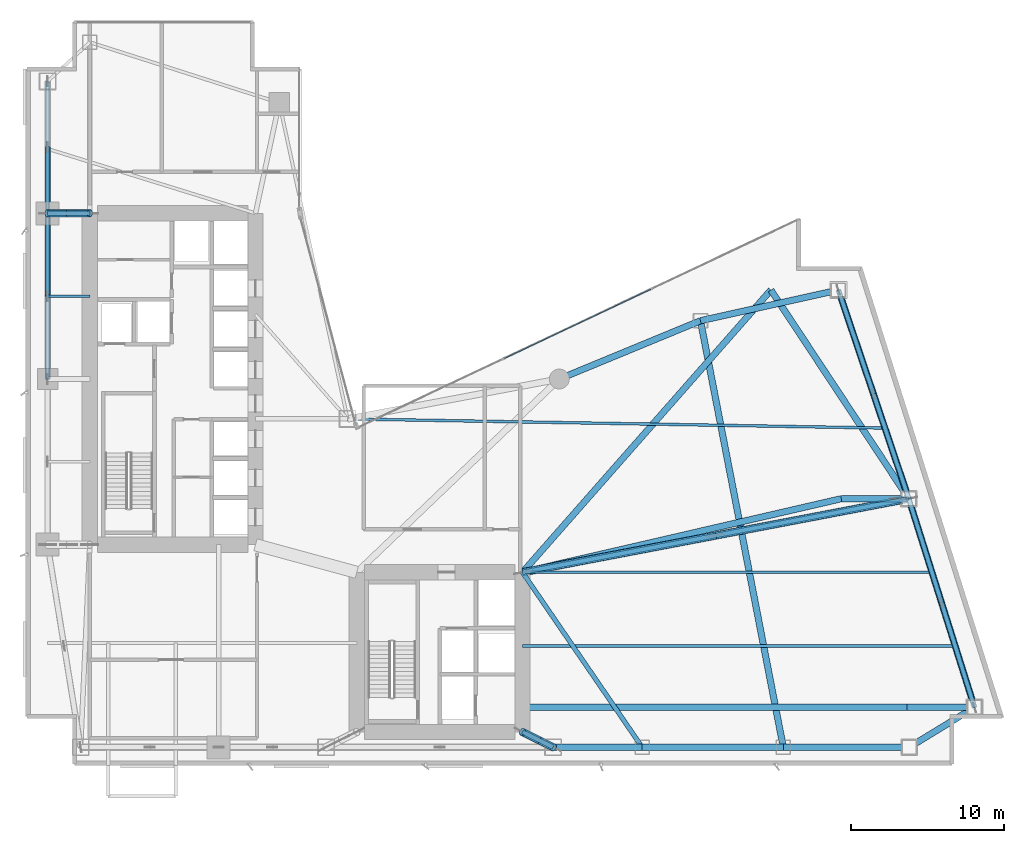
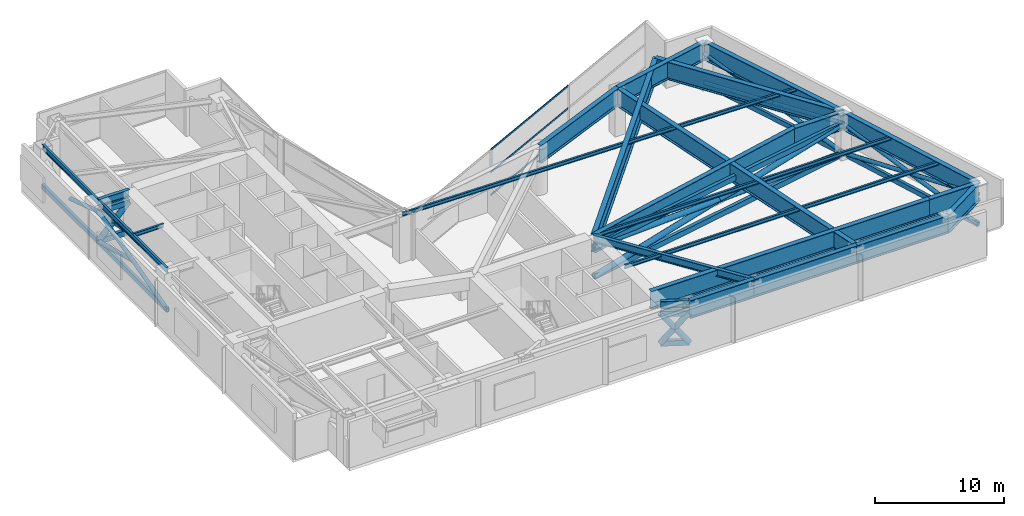
# One storey, part 5 of 18: 31 members, 24 beams, 1 element without a shape of its own.
"""IFC4 building model written with IfcOpenShell, lengths in metres."""

import ifcopenshell
import ifcopenshell.guid

model = None  # the IFC model being written
_history = None  # IfcOwnerHistory: only IFC2X3 demands one
_inside = {}  # id of a spatial element -> (the spatial element, [elements in it])
_under = {}  # id of a project, library or spatial element -> (it, [spatial elements below it])
_declared = {}  # id of a project -> (the project, [libraries it declares])
_typed = {}  # id of a type object -> (the type object, [elements of that type])
_made_of = {}  # id of a material, layer set ... -> (it, [elements and type objects made of it])


def new_model(schema):
    """Start an empty IFC model of exactly this schema.

    Asked for "IFC4X3", IfcOpenShell would pick the latest addendum, in which some entities
    have other attributes; the version numbers below select the first issue.
    IFC2X3 requires an IfcOwnerHistory on every rooted entity: one is made here for all.
    """
    global model, _history
    if schema == "IFC4X3":
        model = ifcopenshell.file(schema_version=(4, 3, 0, 0))
    else:
        model = ifcopenshell.file(schema=schema)
    _inside.clear()
    _under.clear()
    _declared.clear()
    _typed.clear()
    _made_of.clear()
    _history = None
    if model.schema == "IFC2X3":
        org = make("IfcOrganization", Name="unknown")
        user = make(
            "IfcPersonAndOrganization",
            ThePerson=make("IfcPerson", FamilyName="unknown"),
            TheOrganization=org,
        )
        app = make(
            "IfcApplication",
            ApplicationDeveloper=org,
            Version="unknown",
            ApplicationFullName="unknown",
            ApplicationIdentifier="unknown",
        )
        _history = make(
            "IfcOwnerHistory",
            OwningUser=user,
            OwningApplication=app,
            ChangeAction="ADDED",
            CreationDate=0,
        )
    return model


def make(cls, **values):
    """One entity of the class cls with the attributes given. An attribute that is None is left unset."""
    return model.create_entity(
        cls, **{name: value for name, value in values.items() if value is not None}
    )


def rooted(cls, **values):
    """An entity with a GlobalId (a new one), such as an element, a storey or a relation."""
    return make(cls, GlobalId=ifcopenshell.guid.new(), OwnerHistory=_history, **values)


def si_unit(unit_type, name, prefix=None):
    """IfcSIUnit, for example si_unit("LENGTHUNIT", "METRE", prefix="MILLI")."""
    return make("IfcSIUnit", UnitType=unit_type, Prefix=prefix, Name=name)


def assignment(units):
    """IfcUnitAssignment: the units of a project."""
    return None if units is None else make("IfcUnitAssignment", Units=units)


def point(xyz):
    """IfcCartesianPoint."""
    return None if xyz is None else make("IfcCartesianPoint", Coordinates=xyz)


def direction(xyz):
    """IfcDirection."""
    return None if xyz is None else make("IfcDirection", DirectionRatios=xyz)


def frame(location, z_axis=None, x_axis=None):
    """IfcAxis2Placement3D, a coordinate frame: its origin and axes. An axis left out is left unset."""
    return make(
        "IfcAxis2Placement3D",
        Location=point(location),
        Axis=direction(z_axis),
        RefDirection=direction(x_axis),
    )


def frame_2d(location, x_axis=None):
    """IfcAxis2Placement2D, a coordinate frame in the plane: its origin and x axis."""
    return make(
        "IfcAxis2Placement2D", Location=point(location), RefDirection=direction(x_axis)
    )


def origin():
    """The frame at (0, 0, 0) with its axes left unset."""
    return frame((0.0, 0.0, 0.0))


def origin_2d():
    """The frame at (0, 0) in the plane with its x axis left unset."""
    return frame_2d((0.0, 0.0))


def place(relative_to, where):
    """IfcLocalPlacement: puts the frame where relative to a parent placement (None: the world)."""
    return make(
        "IfcLocalPlacement", PlacementRelTo=relative_to, RelativePlacement=where
    )


def context(
    kind, dimensions, precision=None, world=None, true_north=None, identifier=None
):
    """IfcGeometricRepresentationContext, for example the 3D "Model" context."""
    return make(
        "IfcGeometricRepresentationContext",
        ContextIdentifier=identifier,
        ContextType=kind,
        CoordinateSpaceDimension=dimensions,
        Precision=precision,
        WorldCoordinateSystem=world,
        TrueNorth=true_north,
    )


def subcontext(parent, identifier, kind, view, scale=None):
    """IfcGeometricRepresentationSubContext, for example "Body" below "Model"."""
    return make(
        "IfcGeometricRepresentationSubContext",
        ContextIdentifier=identifier,
        ContextType=kind,
        ParentContext=parent,
        TargetScale=scale,
        TargetView=view,
    )


def project(units=None, contexts=None):
    """IfcProject with its units and contexts."""
    return rooted(
        "IfcProject",
        Name="project",
        RepresentationContexts=contexts,
        UnitsInContext=assignment(units),
    )


def spatial(cls, under=None, at=None, **own):
    """A site, building, storey or space (cls), placed at a placement, below another one or the project."""
    s = rooted(cls, ObjectPlacement=at, **own)
    if under is not None:
        _under.setdefault(under.id(), (under, []))[1].append(s)
    return s


def profile(cls, at=None, kind="AREA", **sizes):
    """A parametric profile (cls). Its sizes go by their IFC names, for example OverallWidth=200.0."""
    return make(cls, ProfileType=kind, Position=at, **sizes)


def hollow_rectangle(**sizes):
    """IfcRectangleHollowProfileDef."""
    return profile("IfcRectangleHollowProfileDef", **sizes)


def hollow_circle(**sizes):
    """IfcCircleHollowProfileDef."""
    return profile("IfcCircleHollowProfileDef", **sizes)


def i_section(**sizes):
    """IfcIShapeProfileDef."""
    return profile("IfcIShapeProfileDef", **sizes)


def extrude(swept, where, along, depth):
    """IfcExtrudedAreaSolid: the profile swept, set in the frame where, extruded along a direction by depth."""
    return make(
        "IfcExtrudedAreaSolid",
        SweptArea=swept,
        Position=where,
        ExtrudedDirection=direction(along),
        Depth=depth,
    )


def shape(context_of_items, identifier, shape_type, items):
    """IfcShapeRepresentation: the items that make up one representation, for example the "Body"."""
    return make(
        "IfcShapeRepresentation",
        ContextOfItems=context_of_items,
        RepresentationIdentifier=identifier,
        RepresentationType=shape_type,
        Items=items,
    )


def material(Name=None, Category=None):
    """IfcMaterial."""
    return make("IfcMaterial", Name=Name, Category=Category)


def layer(
    of_material, thickness, ventilated=None, Name=None, Category=None, Priority=None
):
    """IfcMaterialLayer: one layer of a wall or slab, of a material (None: an air gap)."""
    return make(
        "IfcMaterialLayer",
        Material=of_material,
        LayerThickness=thickness,
        IsVentilated=ventilated,
        Name=Name,
        Category=Category,
        Priority=Priority,
    )


def layer_set(layers, Name=None):
    """IfcMaterialLayerSet."""
    return make("IfcMaterialLayerSet", MaterialLayers=layers, LayerSetName=Name)


def material_profile(
    of_material, cross_section, Name=None, Category=None, Priority=None
):
    """IfcMaterialProfile: a cross section and its material."""
    return make(
        "IfcMaterialProfile",
        Name=Name,
        Material=of_material,
        Profile=cross_section,
        Priority=Priority,
        Category=Category,
    )


def profile_set(profiles, Name=None, composite=None):
    """IfcMaterialProfileSet."""
    return make(
        "IfcMaterialProfileSet",
        Name=Name,
        MaterialProfiles=profiles,
        CompositeProfile=composite,
    )


def made_of(thing, what):
    """Note that an element or type object is made of a material, layer set ...; save() writes the relation."""
    if what is not None:
        _made_of.setdefault(what.id(), (what, []))[1].append(thing)
    return thing


def type_object(cls, material=None, **own):
    """A type object (cls), such as IfcWallType, which elements share."""
    return made_of(rooted(cls, **own), material)


def element(
    cls,
    number,
    at=None,
    inside=None,
    cuts=None,
    type_object=None,
    material=None,
    context=None,
    identifier="Body",
    shape_type=None,
    held_by="IfcProductDefinitionShape",
    body=None,
    shapes=None,
    **own,
):
    """One element of the class cls, such as IfcWall. Its Tag is "e" and its number.

    at: its placement. inside: the storey or other place that contains it. cuts: it is an
    opening in that element (IfcRelVoidsElement). A single representation is given by context,
    identifier, shape_type and body (its items); several are given by shapes. held_by: the class
    of the entity that holds the representations. save() writes the other relations.
    """
    e = rooted(cls, Tag="e%d" % number, ObjectPlacement=at, **own)
    if body is not None:
        shapes = [shape(context, identifier, shape_type, body)]
    if shapes is not None:
        e.Representation = make(held_by, Representations=shapes)
    if inside is not None:
        _inside.setdefault(inside.id(), (inside, []))[1].append(e)
    if cuts is not None:
        rooted(
            "IfcRelVoidsElement", RelatingBuildingElement=cuts, RelatedOpeningElement=e
        )
    if type_object is not None:
        _typed.setdefault(type_object.id(), (type_object, []))[1].append(e)
    return made_of(e, material)


def aggregate(whole, parts):
    """IfcRelAggregates: a whole, such as a stair, and the parts it consists of."""
    return rooted("IfcRelAggregates", RelatingObject=whole, RelatedObjects=parts)


def save(model, path):
    """Write the relations noted so far, then the file.

    IfcRelAggregates (storeys below a building ...), IfcRelContainedInSpatialStructure (elements
    in a storey), IfcRelDefinesByType, IfcRelAssociatesMaterial and IfcRelDeclares: one each for
    every whole, place, type object, material and project.
    """
    for whole, parts in _under.values():
        aggregate(whole, parts)
    for where, things in _inside.values():
        rooted(
            "IfcRelContainedInSpatialStructure",
            RelatedElements=things,
            RelatingStructure=where,
        )
    for kind, things in _typed.values():
        rooted("IfcRelDefinesByType", RelatedObjects=things, RelatingType=kind)
    for what, things in _made_of.values():
        rooted("IfcRelAssociatesMaterial", RelatedObjects=things, RelatingMaterial=what)
    for by, libraries in _declared.values():
        rooted("IfcRelDeclares", RelatingContext=by, RelatedDefinitions=libraries)
    model.write(path)


model = new_model("IFC4")

# Units and contexts
model_context = context("Model", 3, precision=1e-05, world=origin(), true_north=direction((0.0, 1.0)))
body_context = subcontext(model_context, "Body", "Model", "MODEL_VIEW")
ifc_project = project(units=[si_unit("LENGTHUNIT", "METRE"), si_unit("AREAUNIT", "SQUARE_METRE"), si_unit("VOLUMEUNIT", "CUBIC_METRE"), si_unit("PLANEANGLEUNIT", "RADIAN"), si_unit("MASSUNIT", "GRAM", prefix="KILO")], contexts=[model_context])

# Site, building, storey
site_placement = place(None, origin())
site = spatial("IfcSite", under=ifc_project, at=site_placement, CompositionType="ELEMENT")
building_placement = place(site_placement, origin())
building = spatial("IfcBuilding", under=site, at=building_placement, Name="Calvorn Quay Hotel", CompositionType="ELEMENT")
storey_placement = place(building_placement, frame((0.0, 0.0, 92.60009765625)))
storey = spatial("IfcBuildingStorey", under=building, at=storey_placement, Name="L22", CompositionType="ELEMENT", Elevation=92.60009765625)

# Beams
ifc_material_1 = material(Name="Steel Q390GJC", Category="steel")
ifc_material_profile_1 = material_profile(ifc_material_1, i_section(OverallWidth=0.300048828125, OverallDepth=0.699951171875, WebThickness=0.012939453125, FlangeThickness=0.02392578125, FilletRadius=0.02392578125, at=origin_2d()), Name="HN700x300x13x24")
ifc_profile_set_1 = profile_set([ifc_material_profile_1], Name="Steel Q390GJC")
beam_type_1 = type_object("IfcBeamType", Name="BM-GIRD-MAIN", PredefinedType="BEAM", material=ifc_profile_set_1)
beam_1_placement = place(storey_placement, frame((1.449951171875, 38.39990234375, 4.0), z_axis=(1.0, 0.0, 0.0), x_axis=(0.0, 1.0, 0.0)))
element("IfcBeam", 1, at=beam_1_placement, inside=storey, type_object=beam_type_1, Name="Beam BG-L22-W3", PredefinedType="BEAM", context=body_context, shape_type="SweptSolid", body=[
    extrude(i_section(OverallWidth=0.300048828125, OverallDepth=0.699951171875, WebThickness=0.012939453125, FlangeThickness=0.02392578125, FilletRadius=0.02392578125, at=origin_2d()), origin(), (0.0, 0.0, 1.0), 2.75),
])
beam_2_placement = place(storey_placement, frame((34.39990234375, 3.60009765625, 4.0), z_axis=(-0.894427191, 0.4472135955, 0.0), x_axis=(-0.4472135955, -0.894427191, 0.0)))
element("IfcBeam", 2, at=beam_2_placement, inside=storey, type_object=beam_type_1, Name="Beam BG-L22-S3", PredefinedType="BEAM", context=body_context, shape_type="SweptSolid", body=[
    extrude(i_section(OverallWidth=0.300048828125, OverallDepth=0.699951171875, WebThickness=0.012939453125, FlangeThickness=0.02392578125, FilletRadius=0.02392578125, at=origin_2d()), origin(), (0.0, 0.0, 1.0), 2.236083984375),
])
beam_3_placement = place(storey_placement, frame((40.199951171875, 3.60009765625, 4.0), z_axis=(-0.564689618177, 0.825303359452, 0.0), x_axis=(-0.825303359452, -0.564689618177, 0.0)))
element("IfcBeam", 3, at=beam_3_placement, inside=storey, type_object=beam_type_1, Name="Beam BG-L22-E6", PredefinedType="BEAM", context=body_context, shape_type="SweptSolid", body=[
    extrude(i_section(OverallWidth=0.300048828125, OverallDepth=0.699951171875, WebThickness=0.012939453125, FlangeThickness=0.02392578125, FilletRadius=0.02392578125, at=origin_2d()), origin(), (0.0, 0.0, 1.0), 13.81298828125),
])
ifc_material_2 = material(Name="Steel Q355B", Category="steel")
ifc_material_profile_2 = material_profile(ifc_material_2, i_section(OverallWidth=0.175048828125, OverallDepth=0.35009765625, WebThickness=0.007080078125, FlangeThickness=0.010986328125, FilletRadius=0.013916015625, at=origin_2d()), Name="HN350x175x7x11")
ifc_profile_set_2 = profile_set([ifc_material_profile_2], Name="Steel Q355B")
beam_type_2 = type_object("IfcBeamType", Name="BM-JOIST-SEC", PredefinedType="JOIST", material=ifc_profile_set_2)
beam_4_placement = place(storey_placement, frame((1.449951171875, 33.0, 4.1748046875), z_axis=(1.0, 0.0, 0.0), x_axis=(0.0, 1.0, 0.0)))
element("IfcBeam", 4, at=beam_4_placement, inside=storey, type_object=beam_type_2, Name="Beam BJ-L22-W4", PredefinedType="JOIST", context=body_context, shape_type="SweptSolid", body=[
    extrude(i_section(OverallWidth=0.175048828125, OverallDepth=0.35009765625, WebThickness=0.007080078125, FlangeThickness=0.010986328125, FilletRadius=0.013916015625, at=origin_2d()), origin(), (0.0, 0.0, 1.0), 2.75),
])
beam_5_placement = place(storey_placement, frame((32.39990234375, 10.199951171875, 4.1748046875), z_axis=(1.0, 0.0, 0.0), x_axis=(0.0, 1.0, 0.0)))
element("IfcBeam", 5, at=beam_5_placement, inside=storey, type_object=beam_type_2, Name="Beam BJ-L22-E1", PredefinedType="JOIST", context=body_context, shape_type="SweptSolid", body=[
    extrude(i_section(OverallWidth=0.175048828125, OverallDepth=0.35009765625, WebThickness=0.007080078125, FlangeThickness=0.010986328125, FilletRadius=0.013916015625, at=origin_2d()), origin(), (0.0, 0.0, 1.0), 28.201171875),
])
beam_6_placement = place(storey_placement, frame((32.39990234375, 15.0, 4.1748046875), z_axis=(1.0, 0.0, 0.0), x_axis=(0.0, 1.0, 0.0)))
element("IfcBeam", 6, at=beam_6_placement, inside=storey, type_object=beam_type_2, Name="Beam BJ-L22-E2", PredefinedType="JOIST", context=body_context, shape_type="SweptSolid", body=[
    extrude(i_section(OverallWidth=0.175048828125, OverallDepth=0.35009765625, WebThickness=0.007080078125, FlangeThickness=0.010986328125, FilletRadius=0.013916015625, at=origin_2d()), origin(), (0.0, 0.0, 1.0), 26.68798828125),
])
beam_7_placement = place(storey_placement, frame((21.0, 25.0, 4.1748046875), z_axis=(0.999854105858, -0.017081188436, 0.0), x_axis=(0.017081188436, 0.999854105858, 0.0)))
element("IfcBeam", 7, at=beam_7_placement, inside=storey, type_object=beam_type_2, Name="Beam BJ-L22-E3", PredefinedType="JOIST", context=body_context, shape_type="SweptSolid", body=[
    extrude(i_section(OverallWidth=0.175048828125, OverallDepth=0.35009765625, WebThickness=0.007080078125, FlangeThickness=0.010986328125, FilletRadius=0.013916015625, at=origin_2d()), origin(), (0.0, 0.0, 1.0), 35.132080078125),
])
ifc_material_3 = material(Name="Steel Q355B", Category="steel")
ifc_material_profile_3 = material_profile(ifc_material_3, i_section(OverallWidth=0.199951171875, OverallDepth=0.5, WebThickness=0.010009765625, FlangeThickness=0.01611328125, FilletRadius=0.01611328125, at=origin_2d()), Name="HN500x200x10x16")
ifc_profile_set_3 = profile_set([ifc_material_profile_3], Name="Steel Q355B")
beam_type_3 = type_object("IfcBeamType", Name="BM-SPANDREL-Z1", PredefinedType="SPANDREL", material=ifc_profile_set_3)
beam_8_placement = place(storey_placement, frame((1.449951171875, 27.60009765625, 4.099853515625), z_axis=(0.0, 1.0, 0.0), x_axis=(-1.0, 0.0, 0.0)))
element("IfcBeam", 8, at=beam_8_placement, inside=storey, type_object=beam_type_3, Name="Beam BSP-L22-W3", PredefinedType="SPANDREL", context=body_context, shape_type="SweptSolid", body=[
    extrude(i_section(OverallWidth=0.199951171875, OverallDepth=0.5, WebThickness=0.010009765625, FlangeThickness=0.01611328125, FilletRadius=0.01611328125, at=origin_2d()), origin(), (0.0, 0.0, 1.0), 10.7998046875),
])
beam_9_placement = place(storey_placement, frame((1.449951171875, 38.39990234375, 4.099853515625), z_axis=(0.0, 1.0, 0.0), x_axis=(-1.0, 0.0, 0.0)))
element("IfcBeam", 9, at=beam_9_placement, inside=storey, type_object=beam_type_3, Name="Beam BSP-L22-W4", PredefinedType="SPANDREL", context=body_context, shape_type="SweptSolid", body=[
    extrude(i_section(OverallWidth=0.199951171875, OverallDepth=0.5, WebThickness=0.010009765625, FlangeThickness=0.01611328125, FilletRadius=0.01611328125, at=origin_2d()), origin(), (0.0, 0.0, 1.0), 8.60009765625),
])
ifc_material_4 = material(Name="Steel Q420GJC", Category="steel")
ifc_material_profile_4 = material_profile(ifc_material_4, i_section(OverallWidth=0.419921875, OverallDepth=1.699951171875, WebThickness=0.02392578125, FlangeThickness=0.0419921875, FilletRadius=0.02392578125, at=origin_2d()), Name="HN1700x420x24x42")
ifc_profile_set_4 = profile_set([ifc_material_profile_4], Name="Steel Q420GJC")
beam_type_4 = type_object("IfcBeamType", Name="BM-XFER-SAWTOOTH", PredefinedType="BEAM", material=ifc_profile_set_4)
beam_10_placement = place(storey_placement, frame((32.39990234375, 6.199951171875, 3.5), z_axis=(1.0, 0.0, 0.0), x_axis=(0.0, 1.0, 0.0)))
element("IfcBeam", 10, at=beam_10_placement, inside=storey, type_object=beam_type_4, Name="Beam BTG-L22-C-ET1A", PredefinedType="BEAM", context=body_context, shape_type="SweptSolid", body=[
    extrude(i_section(OverallWidth=0.419921875, OverallDepth=1.699951171875, WebThickness=0.02392578125, FlangeThickness=0.0419921875, FilletRadius=0.02392578125, at=origin_2d()), origin(), (0.0, 0.0, 1.0), 25.06103515625),
])
beam_11_placement = place(storey_placement, frame((57.4609375, 6.199951171875, 3.5), z_axis=(1.0, 0.0, 0.0), x_axis=(0.0, 1.0, 0.0)))
element("IfcBeam", 11, at=beam_11_placement, inside=storey, type_object=beam_type_4, Name="Beam BTG-L22-C-ET1B", PredefinedType="BEAM", context=body_context, shape_type="SweptSolid", body=[
    extrude(i_section(OverallWidth=0.419921875, OverallDepth=1.699951171875, WebThickness=0.02392578125, FlangeThickness=0.0419921875, FilletRadius=0.02392578125, at=origin_2d()), origin(), (0.0, 0.0, 1.0), 4.400146484375),
])
beam_12_placement = place(storey_placement, frame((32.39990234375, 15.0, 3.5), z_axis=(0.974334045812, 0.225107012711, 0.0), x_axis=(-0.225107012711, 0.974334045812, 0.0)))
element("IfcBeam", 12, at=beam_12_placement, inside=storey, type_object=beam_type_4, Name="Beam BTG-L22-C-ET2A", PredefinedType="BEAM", context=body_context, shape_type="SweptSolid", body=[
    extrude(i_section(OverallWidth=0.419921875, OverallDepth=1.699951171875, WebThickness=0.02392578125, FlangeThickness=0.0419921875, FilletRadius=0.02392578125, at=origin_2d()), origin(), (0.0, 0.0, 1.0), 21.323486328125),
])
beam_13_placement = place(storey_placement, frame((53.176025390625, 19.800048828125, 3.5), z_axis=(1.0, 0.0, 0.0), x_axis=(0.0, 1.0, 0.0)))
element("IfcBeam", 13, at=beam_13_placement, inside=storey, type_object=beam_type_4, Name="Beam BTG-L22-C-ET2B", PredefinedType="BEAM", context=body_context, shape_type="SweptSolid", body=[
    extrude(i_section(OverallWidth=0.419921875, OverallDepth=1.699951171875, WebThickness=0.02392578125, FlangeThickness=0.0419921875, FilletRadius=0.02392578125, at=origin_2d()), origin(), (0.0, 0.0, 1.0), 4.39990234375),
])
beam_14_placement = place(storey_placement, frame((32.39990234375, 15.0, 3.5), z_axis=(0.660610604248, 0.750728732336, 0.0), x_axis=(-0.750728732336, 0.660610604248, 0.0)))
element("IfcBeam", 14, at=beam_14_placement, inside=storey, type_object=beam_type_4, Name="Beam BTG-L22-C-ET3A", PredefinedType="BEAM", context=body_context, shape_type="SweptSolid", body=[
    extrude(i_section(OverallWidth=0.419921875, OverallDepth=1.699951171875, WebThickness=0.02392578125, FlangeThickness=0.0419921875, FilletRadius=0.02392578125, at=origin_2d()), origin(), (0.0, 0.0, 1.0), 24.50927734375),
])
beam_15_placement = place(storey_placement, frame((48.591064453125, 33.39990234375, 3.5), z_axis=(0.551225054571, -0.834356601947, 0.0), x_axis=(0.834356601947, 0.551225054571, 0.0)))
element("IfcBeam", 15, at=beam_15_placement, inside=storey, type_object=beam_type_4, Name="Beam BTG-L22-C-ET3B", PredefinedType="BEAM", context=body_context, shape_type="SweptSolid", body=[
    extrude(i_section(OverallWidth=0.419921875, OverallDepth=1.699951171875, WebThickness=0.02392578125, FlangeThickness=0.0419921875, FilletRadius=0.02392578125, at=origin_2d()), origin(), (0.0, 0.0, 1.0), 16.2998046875),
])
beam_16_placement = place(storey_placement, frame((34.39990234375, 3.60009765625, 3.5), z_axis=(1.0, 0.0, 0.0), x_axis=(0.0, 1.0, 0.0)))
element("IfcBeam", 16, at=beam_16_placement, inside=storey, type_object=beam_type_4, Name="Beam BSP-L22-S4", PredefinedType="BEAM", context=body_context, shape_type="SweptSolid", body=[
    extrude(i_section(OverallWidth=0.419921875, OverallDepth=1.699951171875, WebThickness=0.02392578125, FlangeThickness=0.0419921875, FilletRadius=0.02392578125, at=origin_2d()), origin(), (0.0, 0.0, 1.0), 5.800048828125),
])
beam_17_placement = place(storey_placement, frame((40.199951171875, 3.60009765625, 3.5), z_axis=(1.0, 0.0, 0.0), x_axis=(0.0, 1.0, 0.0)))
element("IfcBeam", 17, at=beam_17_placement, inside=storey, type_object=beam_type_4, Name="Beam BSP-L22-S5", PredefinedType="BEAM", context=body_context, shape_type="SweptSolid", body=[
    extrude(i_section(OverallWidth=0.419921875, OverallDepth=1.699951171875, WebThickness=0.02392578125, FlangeThickness=0.0419921875, FilletRadius=0.02392578125, at=origin_2d()), origin(), (0.0, 0.0, 1.0), 9.199951171875),
])
beam_18_placement = place(storey_placement, frame((49.39990234375, 3.60009765625, 3.5), z_axis=(1.0, 0.0, 0.0), x_axis=(0.0, 1.0, 0.0)))
element("IfcBeam", 18, at=beam_18_placement, inside=storey, type_object=beam_type_4, Name="Beam BSP-L22-S6", PredefinedType="BEAM", context=body_context, shape_type="SweptSolid", body=[
    extrude(i_section(OverallWidth=0.419921875, OverallDepth=1.699951171875, WebThickness=0.02392578125, FlangeThickness=0.0419921875, FilletRadius=0.02392578125, at=origin_2d()), origin(), (0.0, 0.0, 1.0), 8.2001953125),
])
beam_19_placement = place(storey_placement, frame((57.60009765625, 3.60009765625, 3.5), z_axis=(0.853645546466, 0.520854376, 0.0), x_axis=(-0.520854376, 0.853645546466, 0.0)))
element("IfcBeam", 19, at=beam_19_placement, inside=storey, type_object=beam_type_4, Name="Beam BSP-L22-S7", PredefinedType="BEAM", context=body_context, shape_type="SweptSolid", body=[
    extrude(i_section(OverallWidth=0.419921875, OverallDepth=1.699951171875, WebThickness=0.02392578125, FlangeThickness=0.0419921875, FilletRadius=0.02392578125, at=origin_2d()), origin(), (0.0, 0.0, 1.0), 4.991455078125),
])
beam_20_placement = place(storey_placement, frame((61.861083984375, 6.199951171875, 3.5), z_axis=(-0.300518378216, 0.953776024208, 0.0), x_axis=(-0.953776024208, -0.300518378216, 0.0)))
element("IfcBeam", 20, at=beam_20_placement, inside=storey, type_object=beam_type_4, Name="Beam BSP-L22-E1", PredefinedType="BEAM", context=body_context, shape_type="SweptSolid", body=[
    extrude(i_section(OverallWidth=0.419921875, OverallDepth=1.699951171875, WebThickness=0.02392578125, FlangeThickness=0.0419921875, FilletRadius=0.02392578125, at=origin_2d()), origin(), (0.0, 0.0, 1.0), 14.25927734375),
])
beam_21_placement = place(storey_placement, frame((57.575927734375, 19.800048828125, 3.5), z_axis=(-0.319466515944, 0.947597564998, 0.0), x_axis=(-0.947597564998, -0.319466515944, 0.0)))
element("IfcBeam", 21, at=beam_21_placement, inside=storey, type_object=beam_type_4, Name="Beam BSP-L22-E2", PredefinedType="BEAM", context=body_context, shape_type="SweptSolid", body=[
    extrude(i_section(OverallWidth=0.419921875, OverallDepth=1.699951171875, WebThickness=0.02392578125, FlangeThickness=0.0419921875, FilletRadius=0.02392578125, at=origin_2d()), origin(), (0.0, 0.0, 1.0), 14.35205078125),
])
beam_22_placement = place(storey_placement, frame((52.990966796875, 33.39990234375, 3.5), z_axis=(-0.976140886259, -0.217138136156, 0.0), x_axis=(0.217138136156, -0.976140886259, 0.0)))
element("IfcBeam", 22, at=beam_22_placement, inside=storey, type_object=beam_type_4, Name="Beam BSP-L22-E3", PredefinedType="BEAM", context=body_context, shape_type="SweptSolid", body=[
    extrude(i_section(OverallWidth=0.419921875, OverallDepth=1.699951171875, WebThickness=0.02392578125, FlangeThickness=0.0419921875, FilletRadius=0.02392578125, at=origin_2d()), origin(), (0.0, 0.0, 1.0), 9.210693359375),
])
beam_23_placement = place(storey_placement, frame((44.0, 31.39990234375, 3.5), z_axis=(-0.92426763497, -0.381745123017, 0.0), x_axis=(0.381745123017, -0.92426763497, 0.0)))
element("IfcBeam", 23, at=beam_23_placement, inside=storey, type_object=beam_type_4, Name="Beam BSP-L22-E4", PredefinedType="BEAM", context=body_context, shape_type="SweptSolid", body=[
    extrude(i_section(OverallWidth=0.419921875, OverallDepth=1.699951171875, WebThickness=0.02392578125, FlangeThickness=0.0419921875, FilletRadius=0.02392578125, at=origin_2d()), origin(), (0.0, 0.0, 1.0), 9.953857421875),
])
beam_24_placement = place(storey_placement, frame((49.39990234375, 3.60009765625, 3.5), z_axis=(-0.190678596862, 0.981652521363, 0.0), x_axis=(-0.981652521363, -0.190678596862, 0.0)))
element("IfcBeam", 24, at=beam_24_placement, inside=storey, type_object=beam_type_4, Name="Beam BG-L22-E5", PredefinedType="BEAM", context=body_context, shape_type="SweptSolid", body=[
    extrude(i_section(OverallWidth=0.419921875, OverallDepth=1.699951171875, WebThickness=0.02392578125, FlangeThickness=0.0419921875, FilletRadius=0.02392578125, at=origin_2d()), origin(), (0.0, 0.0, 1.0), 28.3193359375),
])

# Curtain wall, members
ifc_material_5 = material(Name="Pale Anodised Aluminium and Low-E Glass", Category="aluminium")
ifc_layer = layer(ifc_material_5, 0.219970703125)
ifc_layer_set = layer_set([ifc_layer], Name="CW-SYS-Z1")
curtain_wall_type = type_object("IfcCurtainWallType", Name="CW-SYS-Z1", PredefinedType="NOTDEFINED", material=ifc_layer_set)
curtain_wall_placement = place(storey_placement, origin())
curtain_wall = element("IfcCurtainWall", 25, at=curtain_wall_placement, inside=storey, type_object=curtain_wall_type, Name="Inner Court Curtain Wall L22-NE1", PredefinedType="NOTDEFINED")
ifc_material_6 = material(Name="Pale Anodised Aluminium 6063-T6", Category="aluminium")
ifc_material_profile_5 = material_profile(ifc_material_6, hollow_rectangle(XDim=0.06494140625, YDim=0.1650390625, WallThickness=0.00341796875, at=origin_2d()), Name="ALU-T165x65x3.5")
ifc_profile_set_5 = profile_set([ifc_material_profile_5], Name="Pale Anodised Aluminium 6063-T6")
member_type_1 = type_object("IfcMemberType", Name="CW-SYS-Z1-TRN", PredefinedType="USERDEFINED", material=ifc_profile_set_5)
member_1_placement = place(storey_placement, frame((40.77294921875, 33.453857421875, 0.02978515625), z_axis=(-0.904247654564, -0.427008406493, 0.0), x_axis=(0.427008406493, -0.904247654564, 0.0)))
member_1 = element("IfcMember", 26, at=member_1_placement, type_object=member_type_1, Name="CW-L22-NE1 transom 2.1", ObjectType="TRANSOM", PredefinedType="USERDEFINED", context=body_context, shape_type="SweptSolid", body=[
    extrude(hollow_rectangle(XDim=0.06494140625, YDim=0.1650390625, WallThickness=0.00341796875, at=origin_2d()), origin(), (0.0, 0.0, 1.0), 10.556640625),
])
member_2_placement = place(storey_placement, frame((40.77294921875, 33.453857421875, 2.199951171875), z_axis=(-0.904247654564, -0.427008406493, 0.0), x_axis=(0.427008406493, -0.904247654564, 0.0)))
member_2 = element("IfcMember", 27, at=member_2_placement, type_object=member_type_1, Name="CW-L22-NE1 transom 2.2", ObjectType="TRANSOM", PredefinedType="USERDEFINED", context=body_context, shape_type="SweptSolid", body=[
    extrude(hollow_rectangle(XDim=0.06494140625, YDim=0.1650390625, WallThickness=0.00341796875, at=origin_2d()), origin(), (0.0, 0.0, 1.0), 10.556640625),
])
member_3_placement = place(storey_placement, frame((40.77294921875, 33.453857421875, 4.31982421875), z_axis=(-0.904247654564, -0.427008406493, 0.0), x_axis=(0.427008406493, -0.904247654564, 0.0)))
member_3 = element("IfcMember", 28, at=member_3_placement, type_object=member_type_1, Name="CW-L22-NE1 transom 2.3", ObjectType="TRANSOM", PredefinedType="USERDEFINED", context=body_context, shape_type="SweptSolid", body=[
    extrude(hollow_rectangle(XDim=0.06494140625, YDim=0.1650390625, WallThickness=0.00341796875, at=origin_2d()), origin(), (0.0, 0.0, 1.0), 10.556640625),
])
aggregate(curtain_wall, [member_1, member_2, member_3])

# Members
ifc_material_7 = material(Name="Steel Q390GJC", Category="steel")
ifc_material_profile_6 = material_profile(ifc_material_7, hollow_rectangle(XDim=0.25, YDim=0.449951171875, WallThickness=0.01611328125, at=origin_2d()), Name="RHS450x250x16")
ifc_profile_set_6 = profile_set([ifc_material_profile_6], Name="Steel Q390GJC")
member_type_2 = type_object("IfcMemberType", Name="MEM-BELT-CHORD", PredefinedType="CHORD", material=ifc_profile_set_6)
member_4_placement = place(storey_placement, frame((1.449951171875, 27.60009765625, 0.349853515625), z_axis=(0.0, 1.0, 0.0), x_axis=(-1.0, 0.0, 0.0)))
element("IfcMember", 29, at=member_4_placement, inside=storey, type_object=member_type_2, Name="Belt Truss Chord L22-BW3", PredefinedType="CHORD", context=body_context, shape_type="SweptSolid", body=[
    extrude(hollow_rectangle(XDim=0.25, YDim=0.449951171875, WallThickness=0.01611328125, at=origin_2d()), origin(), (0.0, 0.0, 1.0), 10.7998046875),
])
member_5_placement = place(storey_placement, frame((1.449951171875, 38.39990234375, 0.349853515625), z_axis=(0.0, 1.0, 0.0), x_axis=(-1.0, 0.0, 0.0)))
element("IfcMember", 30, at=member_5_placement, inside=storey, type_object=member_type_2, Name="Belt Truss Chord L22-BW4", PredefinedType="CHORD", context=body_context, shape_type="SweptSolid", body=[
    extrude(hollow_rectangle(XDim=0.25, YDim=0.449951171875, WallThickness=0.01611328125, at=origin_2d()), origin(), (0.0, 0.0, 1.0), 8.60009765625),
])
member_6_placement = place(storey_placement, frame((61.861083984375, 6.199951171875, 0.349853515625), z_axis=(-0.300518378216, 0.953776024208, 0.0), x_axis=(-0.953776024208, -0.300518378216, 0.0)))
element("IfcMember", 31, at=member_6_placement, inside=storey, type_object=member_type_2, Name="Belt Truss Chord L22-BE1", PredefinedType="CHORD", context=body_context, shape_type="SweptSolid", body=[
    extrude(hollow_rectangle(XDim=0.25, YDim=0.449951171875, WallThickness=0.01611328125, at=origin_2d()), origin(), (0.0, 0.0, 1.0), 14.25927734375),
])
member_7_placement = place(storey_placement, frame((57.575927734375, 19.800048828125, 0.349853515625), z_axis=(-0.319466515944, 0.947597564998, 0.0), x_axis=(-0.947597564998, -0.319466515944, 0.0)))
element("IfcMember", 32, at=member_7_placement, inside=storey, type_object=member_type_2, Name="Belt Truss Chord L22-BE2", PredefinedType="CHORD", context=body_context, shape_type="SweptSolid", body=[
    extrude(hollow_rectangle(XDim=0.25, YDim=0.449951171875, WallThickness=0.01611328125, at=origin_2d()), origin(), (0.0, 0.0, 1.0), 14.35205078125),
])
ifc_material_8 = material(Name="Steel Q390GJC", Category="steel")
ifc_material_profile_7 = material_profile(ifc_material_8, hollow_circle(Radius=0.177978515625, WallThickness=0.013916015625, at=origin_2d()), Name="CHS356x14")
ifc_profile_set_7 = profile_set([ifc_material_profile_7], Name="Steel Q390GJC")
member_type_3 = type_object("IfcMemberType", Name="MEM-BELT-DIAG", PredefinedType="BRACE", material=ifc_profile_set_7)
member_8_placement = place(storey_placement, frame((1.449951171875, 27.60009765625, 0.349853515625), z_axis=(0.0, 0.96799473238, 0.250970512381), x_axis=(-1.0, 0.0, 0.0)))
element("IfcMember", 33, at=member_8_placement, inside=storey, type_object=member_type_3, Name="Belt Truss Continuous Brace L22-BW3A", PredefinedType="BRACE", context=body_context, shape_type="SweptSolid", body=[
    extrude(hollow_circle(Radius=0.177978515625, WallThickness=0.013916015625, at=origin_2d()), origin(), (0.0, 0.0, 1.0), 11.156982421875),
])
member_9_placement = place(storey_placement, frame((1.449951171875, 33.0, 1.75), z_axis=(0.0, 0.967989416096, -0.250991016426), x_axis=(-1.0, 0.0, 0.0)))
element("IfcMember", 34, at=member_9_placement, inside=storey, type_object=member_type_3, Name="Belt Truss Split Brace B2 L22-BW3", PredefinedType="BRACE", context=body_context, shape_type="SweptSolid", body=[
    extrude(hollow_circle(Radius=0.177978515625, WallThickness=0.013916015625, at=origin_2d()), origin(), (0.0, 0.0, 1.0), 5.578369140625),
])
member_10_placement = place(storey_placement, frame((1.449951171875, 38.39990234375, 3.14990234375), z_axis=(0.0, 0.950878823124, -0.309563343655), x_axis=(-1.0, 0.0, 0.0)))
element("IfcMember", 35, at=member_10_placement, inside=storey, type_object=member_type_3, Name="Belt Truss Split Brace B1 L22-BW4", PredefinedType="BRACE", context=body_context, shape_type="SweptSolid", body=[
    extrude(hollow_circle(Radius=0.177978515625, WallThickness=0.013916015625, at=origin_2d()), origin(), (0.0, 0.0, 1.0), 4.522216796875),
])
member_11_placement = place(storey_placement, frame((61.861083984375, 6.199951171875, 0.349853515625), z_axis=(-0.294886700475, 0.935902377888, 0.192687760241), x_axis=(-0.953776024208, -0.300518378216, 0.0)))
element("IfcMember", 36, at=member_11_placement, inside=storey, type_object=member_type_3, Name="Belt Truss Continuous Brace L22-BE1A", PredefinedType="BRACE", context=body_context, shape_type="SweptSolid", body=[
    extrude(hollow_circle(Radius=0.177978515625, WallThickness=0.013916015625, at=origin_2d()), origin(), (0.0, 0.0, 1.0), 14.531494140625),
])
member_12_placement = place(storey_placement, frame((61.861083984375, 6.199951171875, 3.14990234375), z_axis=(-0.294949012549, 0.935886858796, -0.192667764634), x_axis=(-0.953756392507, -0.300580677608, 0.0)))
element("IfcMember", 37, at=member_12_placement, inside=storey, type_object=member_type_3, Name="Belt Truss Split Brace B1 L22-BE1", PredefinedType="BRACE", context=body_context, shape_type="SweptSolid", body=[
    extrude(hollow_circle(Radius=0.177978515625, WallThickness=0.013916015625, at=origin_2d()), origin(), (0.0, 0.0, 1.0), 7.265869140625),
])
member_13_placement = place(storey_placement, frame((59.718017578125, 13.0, 1.75), z_axis=(-0.294824385002, 0.93591789326, -0.19270775564), x_axis=(-0.953795652648, -0.300456074977, 0.0)))
element("IfcMember", 38, at=member_13_placement, inside=storey, type_object=member_type_3, Name="Belt Truss Split Brace B2 L22-BE1", PredefinedType="BRACE", context=body_context, shape_type="SweptSolid", body=[
    extrude(hollow_circle(Radius=0.177978515625, WallThickness=0.013916015625, at=origin_2d()), origin(), (0.0, 0.0, 1.0), 7.265625),
])
member_14_placement = place(storey_placement, frame((57.575927734375, 19.800048828125, 0.349853515625), z_axis=(-0.313554725413, 0.930062086215, 0.191488772405), x_axis=(-0.947597564998, -0.319466515944, 0.0)))
element("IfcMember", 39, at=member_14_placement, inside=storey, type_object=member_type_3, Name="Belt Truss Continuous Brace L22-BE2A", PredefinedType="BRACE", context=body_context, shape_type="SweptSolid", body=[
    extrude(hollow_circle(Radius=0.177978515625, WallThickness=0.013916015625, at=origin_2d()), origin(), (0.0, 0.0, 1.0), 14.62255859375),
])
for number, where, z_axis, x_axis, name in (
    (40, (57.575927734375, 19.800048828125, 3.14990234375), (-0.313490638761, 0.930086787539, -0.191473724186), (-0.947619897594, -0.319400265631, 0.0), "Belt Truss Split Brace B1 L22-BE2"),
    (41, (55.283935546875, 26.60009765625, 1.75), (-0.313618809411, 0.930037380718, -0.191503819418), (-0.947575228022, -0.319532763952, 0.0), "Belt Truss Split Brace B2 L22-BE2"),
):
    element("IfcMember", number, at=place(storey_placement, frame(where, z_axis=z_axis, x_axis=x_axis)), inside=storey, type_object=member_type_3, Name=name, PredefinedType="BRACE", context=body_context, shape_type="SweptSolid", body=[
        extrude(hollow_circle(Radius=0.177978515625, WallThickness=0.013916015625, at=origin_2d()), origin(), (0.0, 0.0, 1.0), 7.311279296875),
    ])
ifc_material_9 = material(Name="Steel Q390GJC", Category="steel")
ifc_material_profile_8 = material_profile(ifc_material_9, hollow_rectangle(XDim=0.300048828125, YDim=0.5, WallThickness=0.02001953125, at=origin_2d()), Name="RHS500x300x20")
ifc_profile_set_8 = profile_set([ifc_material_profile_8], Name="Steel Q390GJC")
member_type_4 = type_object("IfcMemberType", Name="MEM-OUTRIGGER-CHORD", PredefinedType="CHORD", material=ifc_profile_set_8)
for number, where, z_axis, x_axis, name in (
    (42, (4.199951171875, 38.39990234375, 3.14990234375), (-1.0, 0.0, 0.0), (0.0, -1.0, 0.0), "Outrigger Top Chord L22-OW2"),
    (43, (4.199951171875, 38.39990234375, 0.349853515625), (-1.0, 0.0, 0.0), (0.0, -1.0, 0.0), "Outrigger Bottom Chord L22-OW2"),
):
    element("IfcMember", number, at=place(storey_placement, frame(where, z_axis=z_axis, x_axis=x_axis)), inside=storey, type_object=member_type_4, Name=name, PredefinedType="CHORD", context=body_context, shape_type="SweptSolid", body=[
        extrude(hollow_rectangle(XDim=0.300048828125, YDim=0.5, WallThickness=0.02001953125, at=origin_2d()), origin(), (0.0, 0.0, 1.0), 2.75),
    ])
for number, where, z_axis, x_axis, name in (
    (44, (32.39990234375, 4.60009765625, 3.14990234375), (0.894427191, -0.4472135955, 0.0), (0.4472135955, 0.894427191, 0.0), "Outrigger Top Chord L22-OE2"),
    (45, (32.39990234375, 4.60009765625, 0.349853515625), (0.894427191, -0.4472135955, 0.0), (0.4472135955, 0.894427191, 0.0), "Outrigger Bottom Chord L22-OE2"),
):
    element("IfcMember", number, at=place(storey_placement, frame(where, z_axis=z_axis, x_axis=x_axis)), inside=storey, type_object=member_type_4, Name=name, PredefinedType="CHORD", context=body_context, shape_type="SweptSolid", body=[
        extrude(hollow_rectangle(XDim=0.300048828125, YDim=0.5, WallThickness=0.02001953125, at=origin_2d()), origin(), (0.0, 0.0, 1.0), 2.236083984375),
    ])
for number, where, z_axis, x_axis, name in (
    (46, (32.39990234375, 15.0, 3.14990234375), (0.982305450614, 0.18728588226, 0.0), (-0.18728588226, 0.982305450614, 0.0), "Outrigger Top Chord L22-OE3"),
    (47, (32.39990234375, 15.0, 0.349853515625), (0.982305450614, 0.18728588226, 0.0), (-0.18728588226, 0.982305450614, 0.0), "Outrigger Bottom Chord L22-OE3"),
):
    element("IfcMember", number, at=place(storey_placement, frame(where, z_axis=z_axis, x_axis=x_axis)), inside=storey, type_object=member_type_4, Name=name, PredefinedType="CHORD", context=body_context, shape_type="SweptSolid", body=[
        extrude(hollow_rectangle(XDim=0.300048828125, YDim=0.5, WallThickness=0.02001953125, at=origin_2d()), origin(), (0.0, 0.0, 1.0), 25.629638671875),
    ])
ifc_material_10 = material(Name="Steel Q390GJC", Category="steel")
ifc_material_profile_9 = material_profile(ifc_material_10, hollow_circle(Radius=0.25, WallThickness=0.02001953125, at=origin_2d()), Name="CHS500x20")
ifc_profile_set_9 = profile_set([ifc_material_profile_9], Name="Steel Q390GJC")
member_type_5 = type_object("IfcMemberType", Name="MEM-OUTRIGGER-DIAG1", PredefinedType="BRACE", material=ifc_profile_set_9)
member_15_placement = place(storey_placement, frame((4.199951171875, 38.39990234375, 0.349853515625), z_axis=(-0.700701795148, 0.0, 0.713454269225), x_axis=(0.0, -1.0, 0.0)))
element("IfcMember", 48, at=member_15_placement, inside=storey, type_object=member_type_5, Name="Outrigger Continuous Diagonal L22-OW2", PredefinedType="BRACE", context=body_context, shape_type="SweptSolid", body=[
    extrude(hollow_circle(Radius=0.25, WallThickness=0.02001953125, at=origin_2d()), origin(), (0.0, 0.0, 1.0), 3.924560546875),
])
member_16_placement = place(storey_placement, frame((4.199951171875, 38.39990234375, 3.14990234375), z_axis=(-0.7007328944, 0.0, -0.713423724519), x_axis=(0.0, -1.0, 0.0)))
element("IfcMember", 49, at=member_16_placement, inside=storey, type_object=member_type_5, Name="Outrigger Split Diagonal A L22-OW2", PredefinedType="BRACE", context=body_context, shape_type="SweptSolid", body=[
    extrude(hollow_circle(Radius=0.25, WallThickness=0.02001953125, at=origin_2d()), origin(), (0.0, 0.0, 1.0), 1.962158203125),
])
member_17_placement = place(storey_placement, frame((2.824951171875, 38.39990234375, 1.75), z_axis=(-0.700670697326, 0.0, -0.713484809866), x_axis=(0.0, -1.0, 0.0)))
element("IfcMember", 50, at=member_17_placement, inside=storey, type_object=member_type_5, Name="Outrigger Split Diagonal B L22-OW2", PredefinedType="BRACE", context=body_context, shape_type="SweptSolid", body=[
    extrude(hollow_circle(Radius=0.25, WallThickness=0.02001953125, at=origin_2d()), origin(), (0.0, 0.0, 1.0), 1.96240234375),
])
member_18_placement = place(storey_placement, frame((32.39990234375, 4.60009765625, 0.349853515625), z_axis=(0.558139629163, -0.279069814582, 0.781409107284), x_axis=(0.4472135955, 0.894427191, 0.0)))
element("IfcMember", 51, at=member_18_placement, inside=storey, type_object=member_type_5, Name="Outrigger Continuous Diagonal L22-OE2", PredefinedType="BRACE", context=body_context, shape_type="SweptSolid", body=[
    extrude(hollow_circle(Radius=0.25, WallThickness=0.02001953125, at=origin_2d()), origin(), (0.0, 0.0, 1.0), 3.583251953125),
])
member_19_placement = place(storey_placement, frame((32.39990234375, 4.60009765625, 3.14990234375), z_axis=(0.558169345139, -0.279084672569, -0.781382574469), x_axis=(0.4472135955, 0.894427191, 0.0)))
element("IfcMember", 52, at=member_19_placement, inside=storey, type_object=member_type_5, Name="Outrigger Split Diagonal A L22-OE2", PredefinedType="BRACE", context=body_context, shape_type="SweptSolid", body=[
    extrude(hollow_circle(Radius=0.25, WallThickness=0.02001953125, at=origin_2d()), origin(), (0.0, 0.0, 1.0), 1.79150390625),
])
member_20_placement = place(storey_placement, frame((33.39990234375, 4.10009765625, 1.75), z_axis=(0.558109915343, -0.279054957671, -0.781435635862), x_axis=(0.4472135955, 0.894427191, 0.0)))
element("IfcMember", 53, at=member_20_placement, inside=storey, type_object=member_type_5, Name="Outrigger Split Diagonal B L22-OE2", PredefinedType="BRACE", context=body_context, shape_type="SweptSolid", body=[
    extrude(hollow_circle(Radius=0.25, WallThickness=0.02001953125, at=origin_2d()), origin(), (0.0, 0.0, 1.0), 1.791748046875),
])
member_21_placement = place(storey_placement, frame((32.39990234375, 15.0, 0.349853515625), z_axis=(0.976495132343, 0.186178089788, 0.108604674827), x_axis=(-0.18728588226, 0.982305450614, 0.0)))
element("IfcMember", 54, at=member_21_placement, inside=storey, type_object=member_type_5, Name="Outrigger Continuous Diagonal L22-OE3", PredefinedType="BRACE", context=body_context, shape_type="SweptSolid", body=[
    extrude(hollow_circle(Radius=0.25, WallThickness=0.02001953125, at=origin_2d()), origin(), (0.0, 0.0, 1.0), 25.781982421875),
])
member_22_placement = place(storey_placement, frame((32.39990234375, 15.0, 3.14990234375), z_axis=(0.976498297941, 0.186167418568, -0.108594504381), x_axis=(-0.187274938229, 0.982307537135, 0.0)))
element("IfcMember", 55, at=member_22_placement, inside=storey, type_object=member_type_5, Name="Outrigger Split Diagonal A L22-OE3", PredefinedType="BRACE", context=body_context, shape_type="SweptSolid", body=[
    extrude(hollow_circle(Radius=0.25, WallThickness=0.02001953125, at=origin_2d()), origin(), (0.0, 0.0, 1.0), 12.89111328125),
])
member_23_placement = place(storey_placement, frame((44.988037109375, 17.39990234375, 1.75), z_axis=(0.976491966481, 0.186188761103, -0.10861484538), x_axis=(-0.187296826433, 0.98230336394, 0.0)))
element("IfcMember", 56, at=member_23_placement, inside=storey, type_object=member_type_5, Name="Outrigger Split Diagonal B L22-OE3", PredefinedType="BRACE", context=body_context, shape_type="SweptSolid", body=[
    extrude(hollow_circle(Radius=0.25, WallThickness=0.02001953125, at=origin_2d()), origin(), (0.0, 0.0, 1.0), 12.890869140625),
])

save(model, "model.ifc")
